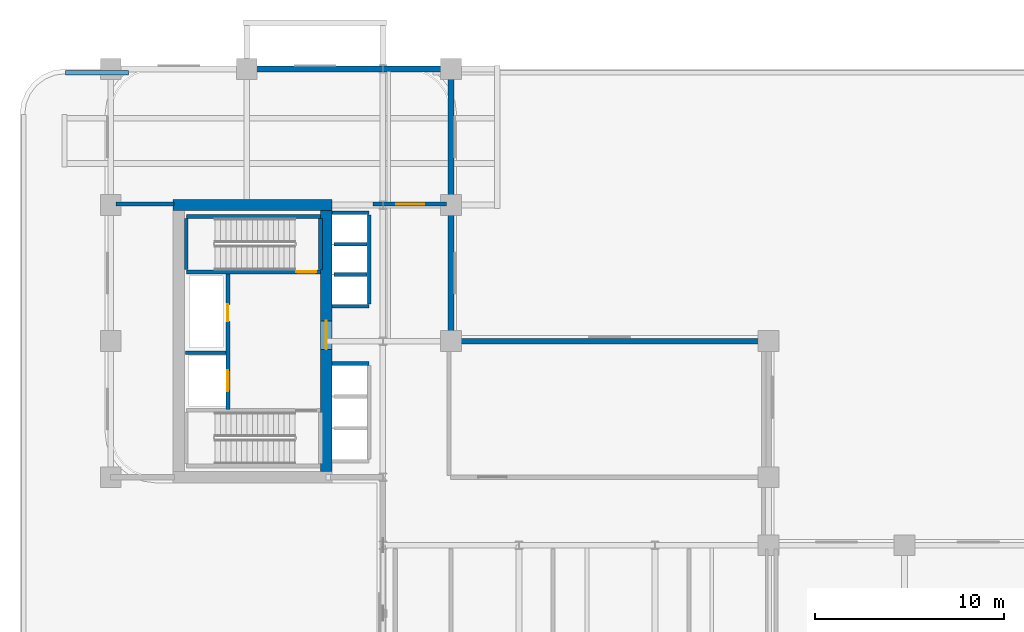
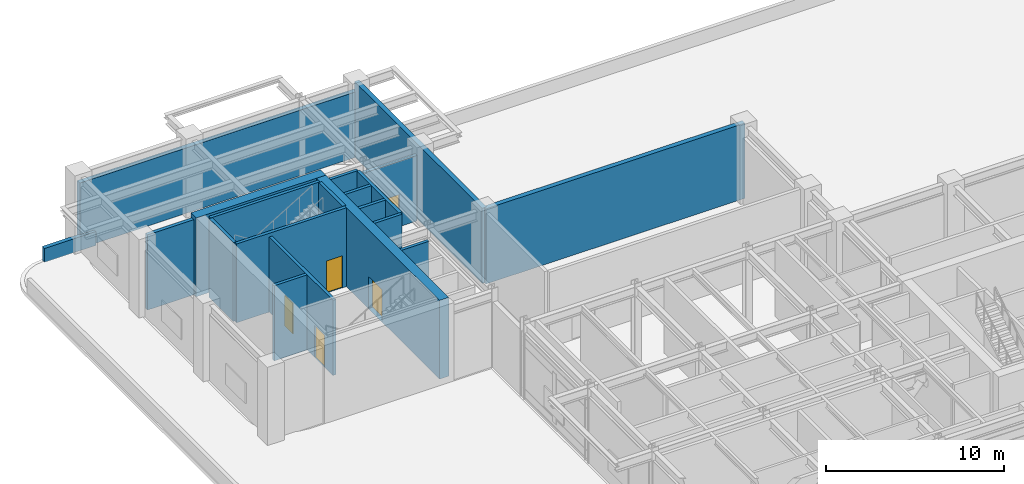
# One storey, part 8 of 14: 20 walls, 5 doors, 5 openings.
"""IFC4 building model written with IfcOpenShell, lengths in metres."""

from ifc_helpers import new_model, si_unit, derived_unit, direction, frame, frame_2d, origin, place, context, subcontext, project, spatial, rectangle, extrude, source, transform, mapped, material, layer, layer_set, type_object, type_shapes, element, fill, save


model = new_model("IFC4")

# Units and contexts
model_context = context("Model", 3, precision=1e-05, world=origin(), true_north=direction((0.0, 1.0)))
body_context = subcontext(model_context, "Body", "Model", "MODEL_VIEW")
ifc_project = project(units=[si_unit("LENGTHUNIT", "METRE"), si_unit("AREAUNIT", "SQUARE_METRE"), si_unit("VOLUMEUNIT", "CUBIC_METRE"), si_unit("PLANEANGLEUNIT", "RADIAN"), si_unit("MASSUNIT", "GRAM", prefix="KILO"), si_unit("THERMODYNAMICTEMPERATUREUNIT", "KELVIN"), si_unit("POWERUNIT", "WATT"), derived_unit("THERMALTRANSMITTANCEUNIT", [(si_unit("POWERUNIT", "WATT"), 1), (si_unit("AREAUNIT", "SQUARE_METRE"), -1), (si_unit("THERMODYNAMICTEMPERATUREUNIT", "KELVIN"), -1)])], contexts=[model_context])

# Site, building, storey
site_placement = place(None, origin())
site = spatial("IfcSite", under=ifc_project, at=site_placement, CompositionType="ELEMENT")
building_placement = place(site_placement, origin())
building = spatial("IfcBuilding", under=site, at=building_placement, Name="Zahravan Archway Hotel and Residences", CompositionType="ELEMENT")
storey_placement = place(building_placement, frame((0.0, 0.0, 27.0)))
storey = spatial("IfcBuildingStorey", under=building, at=storey_placement, Name="L05", CompositionType="ELEMENT", Elevation=27.0)

# Wall
ifc_material_1 = material(Name="Concrete C70/85", Category="concrete")
ifc_layer_1 = layer(ifc_material_1, 0.60009765625, Name="Concrete C70/85", Category="concrete")
ifc_layer_set_1 = layer_set([ifc_layer_1], Name="Concrete C70/85")
wall_type_1 = type_object("IfcWallType", Name="CW-CORE-600", PredefinedType="SHEAR", material=ifc_layer_set_1)
wall_1_placement = place(storey_placement, frame((3.300048828125, 39.60009765625, 0.0), z_axis=(0.0, 0.0, 1.0), x_axis=(1.0, 0.0, 0.0)))
element("IfcWall", 1, at=wall_1_placement, inside=storey, type_object=wall_type_1, Name="L05 Core B Shear N Wall 600 mm", PredefinedType="SHEAR", context=body_context, shape_type="SweptSolid", body=[
    extrude(rectangle(XDim=8.39990234375, YDim=0.60009765625, at=frame_2d((4.199951171875, 0.0))), origin(), (0.0, 0.0, 1.0), 5.39990234375),
])

# Wall, opening, door
wall_2_placement = place(storey_placement, frame((11.39990234375, 25.5, 0.0), z_axis=(0.0, 0.0, 1.0), x_axis=(0.0, 1.0, 0.0)))
wall_2 = element("IfcWall", 2, at=wall_2_placement, inside=storey, type_object=wall_type_1, Name="L05 Core B Shear E Wall 600 mm", PredefinedType="SHEAR", context=body_context, shape_type="SweptSolid", body=[
    extrude(rectangle(XDim=13.800048828125, YDim=0.60009765625, at=frame_2d((6.89990234375, 0.0))), origin(), (0.0, 0.0, 1.0), 5.39990234375),
])
opening_1_placement = place(wall_2_placement, frame((6.469970703125, 0.0, 0.0)))
opening_1 = element("IfcOpeningElement", 3, at=opening_1_placement, cuts=wall_2, Name="Opening FD-L1", PredefinedType="OPENING", context=body_context, shape_type="SweptSolid", body=[
    extrude(rectangle(XDim=1.5, YDim=2.199951171875, at=frame_2d((0.75, 1.10009765625))), frame((0.0, 0.31005859375, 0.0), z_axis=(0.0, -1.0, 0.0), x_axis=(1.0, 0.0, 0.0)), (0.0, 0.0, 1.0), 0.6201171875),
])
ifc_material_2 = material(Name="Fire-Rated Painted Steel", Category="steel")
door_type_1 = type_object("IfcDoorType", Name="FD-LOBBY-1500", OperationType="DOUBLE_DOOR_SINGLE_SWING", PredefinedType="DOOR", material=ifc_material_2)
shared_shape_1 = source(origin(), body_context, "Body", "SweptSolid", [
    extrude(rectangle(XDim=1.5, YDim=2.199951171875, at=frame_2d((0.75, 1.10009765625))), frame((0.0, 0.02490234375, 0.0), z_axis=(0.0, -1.0, 0.0), x_axis=(1.0, 0.0, 0.0)), (0.0, 0.0, 1.0), 0.050048828125),
])
type_shapes(door_type_1, [shared_shape_1])
door_1_placement = place(opening_1_placement, origin())
door_1 = element("IfcDoor", 4, at=door_1_placement, inside=storey, type_object=door_type_1, Name="L05 Core B FSAE Lobby Door", OperationType="DOUBLE_DOOR_SINGLE_SWING", OverallHeight=2.199951171875, OverallWidth=1.5, PredefinedType="DOOR", context=body_context, shape_type="MappedRepresentation", body=[
    mapped(shared_shape_1, transform((0.0, 0.0, 0.0), scale=1.0)),
])
fill(opening_1, door_1)

# Walls
ifc_material_3 = material(Name="Agra Buff Sandstone Coping Wall", Category="masonry")
ifc_layer_2 = layer(ifc_material_3, 0.25, Name="Agra Buff Sandstone Coping Wall", Category="masonry")
ifc_layer_set_2 = layer_set([ifc_layer_2], Name="Agra Buff Sandstone Coping Wall")
wall_type_2 = type_object("IfcWallType", Name="EW-PARA-250", PredefinedType="PARAPET", material=ifc_layer_set_2)
wall_3_placement = place(storey_placement, frame((-2.386962890625, 46.60009765625, 0.0), z_axis=(0.0, 0.0, 1.0), x_axis=(1.0, 0.0, 0.0)))
element("IfcWall", 5, at=wall_3_placement, inside=storey, type_object=wall_type_2, Name="L05 Roof Coping Parapet 2", PredefinedType="PARAPET", context=body_context, shape_type="SweptSolid", body=[
    extrude(rectangle(XDim=3.334716796875, YDim=0.25, at=frame_2d((1.66748046875, 0.0))), origin(), (0.0, 0.0, 1.0), 0.949951171875),
])
ifc_material_4 = material(Name="Acoustic Louvred Sandstone Backup Wall", Category="masonry")
ifc_layer_3 = layer(ifc_material_4, 0.300048828125, Name="Acoustic Louvred Sandstone Backup Wall", Category="masonry")
ifc_layer_set_3 = layer_set([ifc_layer_3], Name="Acoustic Louvred Sandstone Backup Wall")
wall_type_3 = type_object("IfcWallType", Name="EW-REF-300", PredefinedType="SOLIDWALL", material=ifc_layer_set_3)
wall_4_placement = place(storey_placement, frame((0.0, 46.800048828125, 0.0), z_axis=(0.0, 0.0, 1.0), x_axis=(1.0, 0.0, 0.0)))
element("IfcWall", 6, at=wall_4_placement, inside=storey, type_object=wall_type_3, Name="L05 Exterior Sandstone Wall WB-N", PredefinedType="SOLIDWALL", context=body_context, shape_type="SweptSolid", body=[
    extrude(rectangle(XDim=18.0, YDim=0.300048828125, at=frame_2d((9.0, 0.0))), origin(), (0.0, 0.0, 1.0), 4.485107421875),
])
wall_5_placement = place(storey_placement, frame((18.0, 32.39990234375, 0.0), z_axis=(0.0, 0.0, 1.0), x_axis=(0.0, 1.0, 0.0)))
element("IfcWall", 7, at=wall_5_placement, inside=storey, type_object=wall_type_3, Name="L05 Exterior Sandstone Wall WB-EU", PredefinedType="SOLIDWALL", context=body_context, shape_type="SweptSolid", body=[
    extrude(rectangle(XDim=14.35009765625, YDim=0.300048828125, at=frame_2d((7.175048828125, 0.0))), origin(), (0.0, 0.0, 1.0), 5.14990234375),
])
wall_6_placement = place(storey_placement, frame((18.0, 32.39990234375, 0.0), z_axis=(0.0, 0.0, 1.0), x_axis=(1.0, 0.0, 0.0)))
element("IfcWall", 8, at=wall_6_placement, inside=storey, type_object=wall_type_3, Name="L05 Exterior Sandstone Wall HNG-N", PredefinedType="SOLIDWALL", context=body_context, shape_type="SweptSolid", body=[
    extrude(rectangle(XDim=16.800048828125, YDim=0.300048828125, at=frame_2d((8.39990234375, 0.0))), origin(), (0.0, 0.0, 1.0), 5.14990234375),
])

# Wall, opening, door
ifc_material_5 = material(Name="Fire-Rated Gypsum & Concrete Block", Category="concrete")
ifc_layer_4 = layer(ifc_material_5, 0.219970703125, Name="Fire-Rated Gypsum & Concrete Block", Category="concrete")
ifc_layer_set_4 = layer_set([ifc_layer_4], Name="Fire-Rated Gypsum & Concrete Block")
wall_type_4 = type_object("IfcWallType", Name="PW-COMP-220", PredefinedType="PARTITIONING", material=ifc_layer_set_4)
wall_7_placement = place(storey_placement, frame((13.8701171875, 39.64990234375, 0.0), z_axis=(0.0, 0.0, 1.0), x_axis=(1.0, 0.0, 0.0)))
wall_7 = element("IfcWall", 9, at=wall_7_placement, inside=storey, type_object=wall_type_4, Name="L05 Partition L05-RWBN2", PredefinedType="PARTITIONING", context=body_context, shape_type="SweptSolid", body=[
    extrude(rectangle(XDim=3.889892578125, YDim=0.219970703125, at=frame_2d((1.94482421875, 0.0))), origin(), (0.0, 0.0, 1.0), 4.485107421875),
])
opening_2_placement = place(wall_7_placement, frame((1.22998046875, 0.0, 0.0)))
opening_2 = element("IfcOpeningElement", 10, at=opening_2_placement, cuts=wall_7, Name="Opening FD-L1", PredefinedType="OPENING", context=body_context, shape_type="SweptSolid", body=[
    extrude(rectangle(XDim=1.5, YDim=2.199951171875, at=frame_2d((0.75, 1.10009765625))), frame((0.0, 0.1201171875, 0.0), z_axis=(0.0, -1.0, 0.0), x_axis=(1.0, 0.0, 0.0)), (0.0, 0.0, 1.0), 0.239990234375),
])
door_2_placement = place(opening_2_placement, origin())
door_2 = element("IfcDoor", 11, at=door_2_placement, inside=storey, type_object=door_type_1, Name="L05 North-West Protected Refuge Door", OperationType="DOUBLE_DOOR_SINGLE_SWING", OverallHeight=2.199951171875, OverallWidth=1.5, PredefinedType="DOOR", context=body_context, shape_type="MappedRepresentation", body=[
    mapped(shared_shape_1, transform((0.0, 0.0, 0.0), scale=1.0)),
])
fill(opening_2, door_2)

# Wall
wall_8_placement = place(storey_placement, frame((0.2900390625, 39.64990234375, 0.0), z_axis=(0.0, 0.0, 1.0), x_axis=(1.0, 0.0, 0.0)))
element("IfcWall", 12, at=wall_8_placement, inside=storey, type_object=wall_type_4, Name="L05 Partition L05-RWBNW", PredefinedType="PARTITIONING", context=body_context, shape_type="SweptSolid", body=[
    extrude(rectangle(XDim=3.070068359375, YDim=0.219970703125, at=frame_2d((1.53515625, 0.0))), origin(), (0.0, 0.0, 1.0), 5.14990234375),
])

# Wall, openings, doors
ifc_layer_5 = layer(ifc_material_5, 0.199951171875, Name="Fire-Rated Gypsum & Concrete Block", Category="concrete")
ifc_layer_set_5 = layer_set([ifc_layer_5], Name="Fire-Rated Gypsum & Concrete Block")
wall_type_5 = type_object("IfcWallType", Name="PW-SHAFT-200", PredefinedType="PARTITIONING", material=ifc_layer_set_5)
wall_9_placement = place(storey_placement, frame((6.199951171875, 28.7900390625, 0.0), z_axis=(0.0, 0.0, 1.0), x_axis=(0.0, 1.0, 0.0)))
wall_9 = element("IfcWall", 13, at=wall_9_placement, inside=storey, type_object=wall_type_5, Name="L05 Partition CB-FL3E", PredefinedType="PARTITIONING", context=body_context, shape_type="SweptSolid", body=[
    extrude(rectangle(XDim=7.219970703125, YDim=0.199951171875, at=frame_2d((3.60986328125, 0.0))), origin(), (0.0, 0.0, 1.0), 5.14990234375),
])
opening_3_placement = place(wall_9_placement, frame((4.659912109375, 0.0, 0.0)))
opening_3 = element("IfcOpeningElement", 14, at=opening_3_placement, cuts=wall_9, Name="Opening FD-R1", PredefinedType="OPENING", context=body_context, shape_type="SweptSolid", body=[
    extrude(rectangle(XDim=0.89990234375, YDim=2.10009765625, at=frame_2d((0.449951171875, 1.050048828125))), frame((0.0, 0.10986328125, 0.0), z_axis=(0.0, -1.0, 0.0), x_axis=(1.0, 0.0, 0.0)), (0.0, 0.0, 1.0), 0.219970703125),
])
opening_4_placement = place(wall_9_placement, frame((0.9599609375, 0.0, 0.0)))
opening_4 = element("IfcOpeningElement", 15, at=opening_4_placement, cuts=wall_9, Name="Opening LD", PredefinedType="OPENING", context=body_context, shape_type="SweptSolid", body=[
    extrude(rectangle(XDim=1.10009765625, YDim=2.199951171875, at=frame_2d((0.550048828125, 1.10009765625))), frame((0.0, 0.10986328125, 0.0), z_axis=(0.0, -1.0, 0.0), x_axis=(1.0, 0.0, 0.0)), (0.0, 0.0, 1.0), 0.219970703125),
])
door_type_2 = type_object("IfcDoorType", Name="FD-RISER-900", OperationType="NOTDEFINED", PredefinedType="DOOR", material=ifc_material_2)
shared_shape_2 = source(origin(), body_context, "Body", "SweptSolid", [
    extrude(rectangle(XDim=0.89990234375, YDim=2.10009765625, at=frame_2d((0.449951171875, 1.050048828125))), frame((0.0, 0.02490234375, 0.0), z_axis=(0.0, -1.0, 0.0), x_axis=(1.0, 0.0, 0.0)), (0.0, 0.0, 1.0), 0.050048828125),
])
type_shapes(door_type_2, [shared_shape_2])
door_3_placement = place(opening_3_placement, origin())
door_3 = element("IfcDoor", 16, at=door_3_placement, inside=storey, type_object=door_type_2, Name="L05 Core B Riser Door", OperationType="SINGLE_SWING_RIGHT", OverallHeight=2.10009765625, OverallWidth=0.89990234375, PredefinedType="DOOR", context=body_context, shape_type="MappedRepresentation", body=[
    mapped(shared_shape_2, transform((0.0, 0.0, 0.0), scale=1.0)),
])
fill(opening_3, door_3)
ifc_material_6 = material(Name="Brushed Stainless Steel", Category="steel")
door_type_3 = type_object("IfcDoorType", Name="DR-LIFT-LD", OperationType="SLIDING_TO_LEFT", PredefinedType="DOOR", material=ifc_material_6)
shared_shape_3 = source(origin(), body_context, "Body", "SweptSolid", [
    extrude(rectangle(XDim=1.10009765625, YDim=2.199951171875, at=frame_2d((0.550048828125, 1.10009765625))), frame((0.0, 0.02490234375, 0.0), z_axis=(0.0, -1.0, 0.0), x_axis=(1.0, 0.0, 0.0)), (0.0, 0.0, 1.0), 0.050048828125),
])
type_shapes(door_type_3, [shared_shape_3])
door_4_placement = place(opening_4_placement, origin())
door_4 = element("IfcDoor", 17, at=door_4_placement, inside=storey, type_object=door_type_3, Name="L05 Lift FL-3 Sliding Landing Door", OperationType="SLIDING_TO_LEFT", OverallHeight=2.199951171875, OverallWidth=1.10009765625, PredefinedType="DOOR", context=body_context, shape_type="MappedRepresentation", body=[
    mapped(shared_shape_3, transform((0.0, 0.0, 0.0), scale=1.0)),
])
fill(opening_4, door_4)

# Walls
wall_10_placement = place(storey_placement, frame((3.9599609375, 31.780029296875, 0.0), z_axis=(0.0, 0.0, 1.0), x_axis=(1.0, 0.0, 0.0)))
element("IfcWall", 18, at=wall_10_placement, inside=storey, type_object=wall_type_5, Name="L05 Partition CB-FL3N", PredefinedType="PARTITIONING", context=body_context, shape_type="SweptSolid", body=[
    extrude(rectangle(XDim=2.130126953125, YDim=0.199951171875, at=frame_2d((1.06494140625, 0.0))), origin(), (0.0, 0.0, 1.0), 5.14990234375),
])
for number, where, z_axis, x_axis, name in (
    (19, (11.7099609375, 31.2099609375, 0.0), (0.0, 0.0, 1.0), (1.0, 0.0, 0.0), "L05 Partition B1-N"),
    (20, (11.7099609375, 34.25, 0.0), (0.0, 0.0, 1.0), (1.0, 0.0, 0.0), "L05 Partition B2-S"),
    (21, (11.7099609375, 39.18994140625, 0.0), (0.0, 0.0, 1.0), (1.0, 0.0, 0.0), "L05 Partition B2-N"),
):
    element("IfcWall", number, at=place(storey_placement, frame(where, z_axis=z_axis, x_axis=x_axis)), inside=storey, type_object=wall_type_5, Name=name, PredefinedType="PARTITIONING", context=body_context, shape_type="SweptSolid", body=[
        extrude(rectangle(XDim=1.9599609375, YDim=0.199951171875, at=frame_2d((0.97998046875, 0.0))), origin(), (0.0, 0.0, 1.0), 5.14990234375),
    ])
wall_11_placement = place(storey_placement, frame((13.679931640625, 34.360107421875, 0.0), z_axis=(0.0, 0.0, 1.0), x_axis=(0.0, 1.0, 0.0)))
element("IfcWall", 22, at=wall_11_placement, inside=storey, type_object=wall_type_5, Name="L05 Partition B2-E", PredefinedType="PARTITIONING", context=body_context, shape_type="SweptSolid", body=[
    extrude(rectangle(XDim=4.719970703125, YDim=0.199951171875, at=frame_2d((2.35986328125, 0.0))), origin(), (0.0, 0.0, 1.0), 5.14990234375),
])
for number, where, z_axis, x_axis, name in (
    (23, (11.81005859375, 35.919921875, 0.0), (0.0, 0.0, 1.0), (1.0, 0.0, 0.0), "L05 Partition B2-D"),
    (24, (11.81005859375, 37.52001953125, 0.0), (0.0, 0.0, 1.0), (1.0, 0.0, 0.0), "L05 Partition B2-D"),
):
    element("IfcWall", number, at=place(storey_placement, frame(where, z_axis=z_axis, x_axis=x_axis)), inside=storey, type_object=wall_type_5, Name=name, PredefinedType="PARTITIONING", context=body_context, shape_type="SweptSolid", body=[
        extrude(rectangle(XDim=1.760009765625, YDim=0.199951171875, at=frame_2d((0.8798828125, 0.0))), origin(), (0.0, 0.0, 1.0), 5.14990234375),
    ])
ifc_material_7 = material(Name="Concrete C50/60", Category="concrete")
ifc_layer_6 = layer(ifc_material_7, 0.199951171875, Name="Concrete C50/60", Category="concrete")
ifc_layer_set_6 = layer_set([ifc_layer_6], Name="Concrete C50/60")
wall_type_6 = type_object("IfcWallType", Name="SW-STAIR-200", PredefinedType="SHEAR", material=ifc_layer_set_6)
wall_12_placement = place(storey_placement, frame((4.0, 39.0, 0.0), z_axis=(0.0, 0.0, 1.0), x_axis=(1.0, 0.0, 0.0)))
element("IfcWall", 25, at=wall_12_placement, inside=storey, type_object=wall_type_6, Name="L05 Stairwell RC Wall CB-SB2N", PredefinedType="SHEAR", context=body_context, shape_type="SweptSolid", body=[
    extrude(rectangle(XDim=7.10009765625, YDim=0.199951171875, at=frame_2d((3.550048828125, 0.0))), origin(), (0.0, 0.0, 1.0), 5.39990234375),
])
for number, where, z_axis, x_axis, name in (
    (26, (4.0, 36.179931640625, 0.0), (0.0, 0.0, 1.0), (0.0, 1.0, 0.0), "L05 Stairwell RC Wall CB-SB2W"),
    (27, (11.10009765625, 36.179931640625, 0.0), (0.0, 0.0, 1.0), (0.0, 1.0, 0.0), "L05 Stairwell RC Wall CB-SB2E"),
):
    element("IfcWall", number, at=place(storey_placement, frame(where, z_axis=z_axis, x_axis=x_axis)), inside=storey, type_object=wall_type_6, Name=name, PredefinedType="SHEAR", context=body_context, shape_type="SweptSolid", body=[
        extrude(rectangle(XDim=2.699951171875, YDim=0.199951171875, at=frame_2d((1.35009765625, 0.0))), origin(), (0.0, 0.0, 1.0), 5.39990234375),
    ])

# Wall, opening, door
wall_13_placement = place(storey_placement, frame((4.0, 36.06005859375, 0.0), z_axis=(0.0, 0.0, 1.0), x_axis=(1.0, 0.0, 0.0)))
wall_13 = element("IfcWall", 28, at=wall_13_placement, inside=storey, type_object=wall_type_6, Name="L05 Stairwell RC Wall CB-SB2S", PredefinedType="SHEAR", context=body_context, shape_type="SweptSolid", body=[
    extrude(rectangle(XDim=7.10009765625, YDim=0.199951171875, at=frame_2d((3.550048828125, 0.0))), origin(), (0.0, 0.0, 1.0), 5.39990234375),
])
opening_5_placement = place(wall_13_placement, frame((5.81494140625, 0.0, 0.0)))
opening_5 = element("IfcOpeningElement", 29, at=opening_5_placement, cuts=wall_13, Name="Opening FD-S1", PredefinedType="OPENING", context=body_context, shape_type="SweptSolid", body=[
    extrude(rectangle(XDim=1.050048828125, YDim=2.199951171875, at=frame_2d((0.52490234375, 1.10009765625))), frame((0.0, 0.10986328125, 0.0), z_axis=(0.0, -1.0, 0.0), x_axis=(1.0, 0.0, 0.0)), (0.0, 0.0, 1.0), 0.219970703125),
])
door_type_4 = type_object("IfcDoorType", Name="FD-STAIR-1100", OperationType="NOTDEFINED", PredefinedType="DOOR", material=ifc_material_2)
shared_shape_4 = source(origin(), body_context, "Body", "SweptSolid", [
    extrude(rectangle(XDim=1.050048828125, YDim=2.199951171875, at=frame_2d((0.52490234375, 1.10009765625))), frame((0.0, 0.02490234375, 0.0), z_axis=(0.0, -1.0, 0.0), x_axis=(1.0, 0.0, 0.0)), (0.0, 0.0, 1.0), 0.050048828125),
])
type_shapes(door_type_4, [shared_shape_4])
door_5_placement = place(opening_5_placement, origin())
door_5 = element("IfcDoor", 30, at=door_5_placement, inside=storey, type_object=door_type_4, Name="L05 Stair ST-B2 Door", OperationType="SINGLE_SWING_LEFT", OverallHeight=2.199951171875, OverallWidth=1.050048828125, PredefinedType="DOOR", context=body_context, shape_type="MappedRepresentation", body=[
    mapped(shared_shape_4, transform((0.0, 0.0, 0.0), scale=1.0)),
])
fill(opening_5, door_5)

save(model, "model.ifc")
